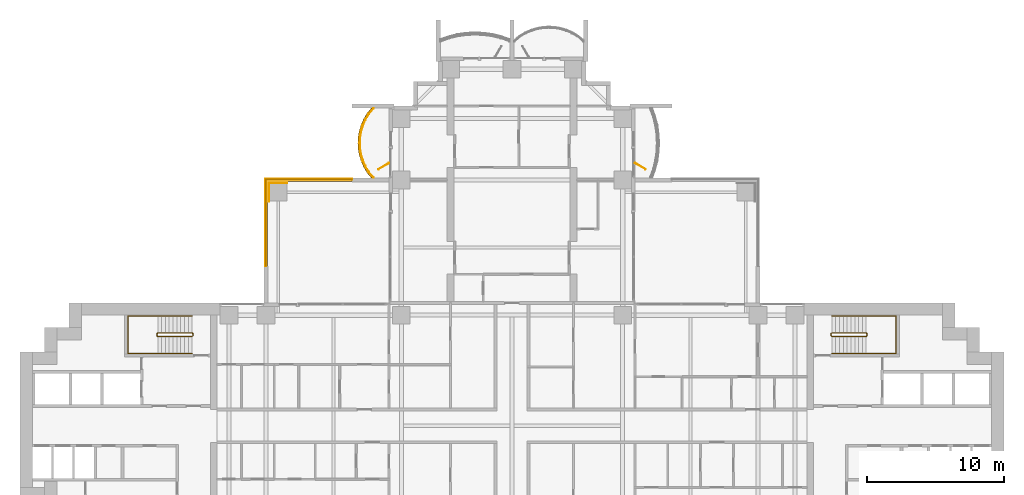
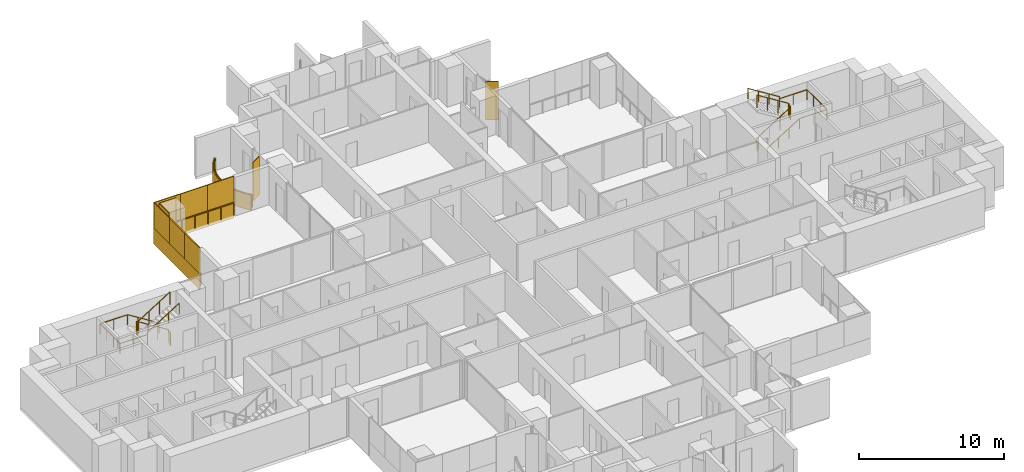
# One storey, part 19 of 20: 10 coverings, 6 railings, 2 shading devices.
"""IFC4 building model written with IfcOpenShell, lengths in metres."""

from ifc_helpers import new_model, si_unit, direction, frame, origin, origin_2d, place, context, subcontext, project, spatial, polyline, rectangle, outline, extrude, material, layer, layer_set, type_object, element, save


model = new_model("IFC4")

# Units and contexts
model_context = context("Model", 3, precision=1e-05, world=origin(), true_north=direction((0.0, 1.0)))
body_context = subcontext(model_context, "Body", "Model", "MODEL_VIEW")
ifc_project = project(units=[si_unit("LENGTHUNIT", "METRE"), si_unit("AREAUNIT", "SQUARE_METRE"), si_unit("VOLUMEUNIT", "CUBIC_METRE"), si_unit("PLANEANGLEUNIT", "RADIAN"), si_unit("MASSUNIT", "GRAM", prefix="KILO")], contexts=[model_context])

# Site, building, storey
site_placement = place(None, origin())
site = spatial("IfcSite", under=ifc_project, at=site_placement, CompositionType="ELEMENT")
building_placement = place(site_placement, origin())
building = spatial("IfcBuilding", under=site, at=building_placement, Name="Perihelion Cross Residences", CompositionType="ELEMENT")
storey_placement = place(building_placement, frame((0.0, 0.0, 68.0)))
storey = spatial("IfcBuildingStorey", under=building, at=storey_placement, Name="L14", CompositionType="ELEMENT", Elevation=68.0)

# Covering
ifc_material_1 = material(Name="Bronze anodised aluminium", Category="aluminium")
ifc_layer_1 = layer(ifc_material_1, 0.070068359375)
ifc_layer_set_1 = layer_set([ifc_layer_1], Name="Balcony fascia 1300")
covering_type_1 = type_object("IfcCoveringType", Name="Balcony fascia 1300", PredefinedType="CLADDING", material=ifc_layer_set_1)
covering_1_placement = place(storey_placement, frame((0.0, 0.0, -0.199951171875)))
element("IfcCovering", 1, at=covering_1_placement, inside=storey, type_object=covering_type_1, Name="Fascia BF1 L14 north side west bay 1", PredefinedType="CLADDING", context=body_context, shape_type="SweptSolid", body=[
    extrude(outline(polyline([(-10.59765625, 22.86474609375), (-10.85498046875, 22.431884765625), (-11.04248046875, 21.998779296875), (-11.170654296875, 21.56591796875), (-11.245361328125, 21.133056640625), (-11.27001953125, 20.699951171875), (-11.245361328125, 20.26708984375), (-11.170654296875, 19.833984375), (-11.04248046875, 19.401123046875), (-10.85498046875, 18.96826171875), (-10.59765625, 18.53515625), (-10.28955078125, 18.14990234375), (-10.199951171875, 18.14990234375), (-10.5400390625, 18.574951171875), (-10.792724609375, 19.0), (-10.9765625, 19.425048828125), (-11.1025390625, 19.85009765625), (-11.17578125, 20.27490234375), (-11.199951171875, 20.699951171875), (-11.17578125, 21.125), (-11.1025390625, 21.550048828125), (-10.9765625, 21.97509765625), (-10.792724609375, 22.39990234375), (-10.5400390625, 22.824951171875), (-10.199951171875, 23.25), (-10.28955078125, 23.25), (-10.59765625, 22.86474609375)])), origin(), (0.0, 0.0, 1.0), 1.300048828125),
])

# Railings
ifc_material_2 = material(Name="Bronze anodised aluminium", Category="aluminium")
railing_type_1 = type_object("IfcRailingType", Name="Balcony guard 1100", PredefinedType="GUARDRAIL", material=ifc_material_2)
railing_1_placement = place(storey_placement, frame((-10.139892578125, 23.22509765625, 0.0)))
element("IfcRailing", 2, at=railing_1_placement, inside=storey, type_object=railing_type_1, Name="Guard GU1 L14 north side west bay 1 balcony", PredefinedType="GUARDRAIL", context=body_context, shape_type="SweptSolid", body=[
    extrude(rectangle(XDim=0.048095703125, YDim=0.048095703125, at=origin_2d()), frame((0.0, 0.0, 1.076171875), z_axis=(-0.647607934281, -0.761973728849, 0.0), x_axis=(0.761973728849, -0.647607934281, 0.0)), (0.0, 0.0, 1.0), 0.525146484375),
    extrude(rectangle(XDim=0.048095703125, YDim=0.048095703125, at=origin_2d()), frame((-0.340087890625, -0.400146484375, 1.076171875), z_axis=(-0.511006381501, -0.859576918062, 0.0), x_axis=(0.859576918062, -0.511006381501, 0.0)), (0.0, 0.0, 1.0), 0.494384765625),
    extrude(rectangle(XDim=0.048095703125, YDim=0.048095703125, at=origin_2d()), frame((-0.5927734375, -0.8251953125, 1.076171875), z_axis=(-0.397607437634, -0.91755562531, 0.0), x_axis=(0.91755562531, -0.397607437634, 0.0)), (0.0, 0.0, 1.0), 0.462890625),
    extrude(rectangle(XDim=0.048095703125, YDim=0.048095703125, at=origin_2d()), frame((-0.77685546875, -1.25, 1.076171875), z_axis=(-0.283656975924, -0.958925815697, 0.0), x_axis=(0.958925815697, -0.283656975924, 0.0)), (0.0, 0.0, 1.0), 0.443359375),
    extrude(rectangle(XDim=0.048095703125, YDim=0.048095703125, at=origin_2d()), frame((-0.902587890625, -1.675048828125, 1.076171875), z_axis=(-0.17036177859, -0.985381583142, 0.0), x_axis=(0.985381583142, -0.17036177859, 0.0)), (0.0, 0.0, 1.0), 0.431396484375),
    extrude(rectangle(XDim=0.048095703125, YDim=0.048095703125, at=origin_2d()), frame((-0.97607421875, -2.10009765625, 1.076171875), z_axis=(-0.056200523353, -0.9984195016, 0.0), x_axis=(0.9984195016, -0.056200523353, 0.0)), (0.0, 0.0, 1.0), 0.42578125),
    extrude(rectangle(XDim=0.048095703125, YDim=0.048095703125, at=origin_2d()), frame((-1.0, -2.525146484375, 1.076171875), z_axis=(0.056200523353, -0.9984195016, 0.0), x_axis=(0.9984195016, 0.056200523353, 0.0)), (0.0, 0.0, 1.0), 0.42578125),
    extrude(rectangle(XDim=0.048095703125, YDim=0.048095703125, at=origin_2d()), frame((-0.97607421875, -2.9501953125, 1.076171875), z_axis=(0.170456843651, -0.985365142702, 0.0), x_axis=(0.985365142702, 0.170456843651, 0.0)), (0.0, 0.0, 1.0), 0.43115234375),
    extrude(rectangle(XDim=0.048095703125, YDim=0.048095703125, at=origin_2d()), frame((-0.902587890625, -3.375, 1.076171875), z_axis=(0.283656975924, -0.958925815697, 0.0), x_axis=(0.958925815697, 0.283656975924, 0.0)), (0.0, 0.0, 1.0), 0.443359375),
    extrude(rectangle(XDim=0.048095703125, YDim=0.048095703125, at=origin_2d()), frame((-0.77685546875, -3.800048828125, 1.076171875), z_axis=(0.397415137459, -0.917638931453, 0.0), x_axis=(0.917638931453, 0.397415137459, 0.0)), (0.0, 0.0, 1.0), 0.463134765625),
    extrude(rectangle(XDim=0.048095703125, YDim=0.048095703125, at=origin_2d()), frame((-0.5927734375, -4.22509765625, 1.076171875), z_axis=(0.511006381501, -0.859576918062, 0.0), x_axis=(0.859576918062, 0.511006381501, 0.0)), (0.0, 0.0, 1.0), 0.494384765625),
    extrude(rectangle(XDim=0.048095703125, YDim=0.048095703125, at=origin_2d()), frame((-0.340087890625, -4.650146484375, 1.076171875), z_axis=(0.647837396648, -0.761778647315, 0.0), x_axis=(0.761778647315, 0.647837396648, 0.0)), (0.0, 0.0, 1.0), 0.52490234375),
    extrude(rectangle(XDim=0.0419921875, YDim=0.0419921875, at=origin_2d()), origin(), (0.0, 0.0, 1.0), 1.052001953125),
    extrude(rectangle(XDim=0.0419921875, YDim=0.0419921875, at=origin_2d()), frame((-0.340087890625, -0.400146484375, 0.0)), (0.0, 0.0, 1.0), 1.052001953125),
    extrude(rectangle(XDim=0.0419921875, YDim=0.0419921875, at=origin_2d()), frame((-0.5927734375, -0.8251953125, 0.0)), (0.0, 0.0, 1.0), 1.052001953125),
    extrude(rectangle(XDim=0.0419921875, YDim=0.0419921875, at=origin_2d()), frame((-0.77685546875, -1.25, 0.0)), (0.0, 0.0, 1.0), 1.052001953125),
    extrude(rectangle(XDim=0.0419921875, YDim=0.0419921875, at=origin_2d()), frame((-0.902587890625, -1.675048828125, 0.0)), (0.0, 0.0, 1.0), 1.052001953125),
    extrude(rectangle(XDim=0.0419921875, YDim=0.0419921875, at=origin_2d()), frame((-0.97607421875, -2.10009765625, 0.0)), (0.0, 0.0, 1.0), 1.052001953125),
    extrude(rectangle(XDim=0.0419921875, YDim=0.0419921875, at=origin_2d()), frame((-1.0, -2.525146484375, 0.0)), (0.0, 0.0, 1.0), 1.052001953125),
    extrude(rectangle(XDim=0.0419921875, YDim=0.0419921875, at=origin_2d()), frame((-0.97607421875, -2.9501953125, 0.0)), (0.0, 0.0, 1.0), 1.052001953125),
    extrude(rectangle(XDim=0.0419921875, YDim=0.0419921875, at=origin_2d()), frame((-0.902587890625, -3.375, 0.0)), (0.0, 0.0, 1.0), 1.052001953125),
    extrude(rectangle(XDim=0.0419921875, YDim=0.0419921875, at=origin_2d()), frame((-0.77685546875, -3.800048828125, 0.0)), (0.0, 0.0, 1.0), 1.052001953125),
    extrude(rectangle(XDim=0.0419921875, YDim=0.0419921875, at=origin_2d()), frame((-0.5927734375, -4.22509765625, 0.0)), (0.0, 0.0, 1.0), 1.052001953125),
    extrude(rectangle(XDim=0.0419921875, YDim=0.0419921875, at=origin_2d()), frame((-0.340087890625, -4.650146484375, 0.0)), (0.0, 0.0, 1.0), 1.052001953125),
    extrude(rectangle(XDim=0.0419921875, YDim=0.0419921875, at=origin_2d()), frame((0.0, -5.050048828125, 0.0)), (0.0, 0.0, 1.0), 1.052001953125),
])
railing_2_placement = place(storey_placement, frame((-17.93994140625, 11.739990234375, 0.0)))
element("IfcRailing", 3, at=railing_2_placement, inside=storey, type_object=railing_type_1, Name="Guard GU1 L14 pocket north-west 1", PredefinedType="GUARDRAIL", context=body_context, shape_type="SweptSolid", body=[
    extrude(rectangle(XDim=0.048095703125, YDim=0.048095703125, at=origin_2d()), frame((0.0, 0.0, 1.076171875), z_axis=(0.0, 1.0, 0.0), x_axis=(-1.0, 0.0, 0.0)), (0.0, 0.0, 1.0), 6.199951171875),
    extrude(rectangle(XDim=0.048095703125, YDim=0.048095703125, at=origin_2d()), frame((0.0, 6.199951171875, 1.076171875), z_axis=(1.0, 0.0, 0.0), x_axis=(0.0, 1.0, 0.0)), (0.0, 0.0, 1.0), 6.199951171875),
    extrude(rectangle(XDim=0.0419921875, YDim=0.0419921875, at=origin_2d()), origin(), (0.0, 0.0, 1.0), 1.052001953125),
    extrude(rectangle(XDim=0.0419921875, YDim=0.0419921875, at=origin_2d()), frame((0.0, 1.033203125, 0.0)), (0.0, 0.0, 1.0), 1.052001953125),
    extrude(rectangle(XDim=0.0419921875, YDim=0.0419921875, at=origin_2d()), frame((0.0, 2.066650390625, 0.0)), (0.0, 0.0, 1.0), 1.052001953125),
    extrude(rectangle(XDim=0.0419921875, YDim=0.0419921875, at=origin_2d()), frame((0.0, 3.10009765625, 0.0)), (0.0, 0.0, 1.0), 1.052001953125),
    extrude(rectangle(XDim=0.0419921875, YDim=0.0419921875, at=origin_2d()), frame((0.0, 4.13330078125, 0.0)), (0.0, 0.0, 1.0), 1.052001953125),
    extrude(rectangle(XDim=0.0419921875, YDim=0.0419921875, at=origin_2d()), frame((0.0, 5.16650390625, 0.0)), (0.0, 0.0, 1.0), 1.052001953125),
    extrude(rectangle(XDim=0.0419921875, YDim=0.0419921875, at=origin_2d()), frame((0.0, 6.199951171875, 0.0)), (0.0, 0.0, 1.0), 1.052001953125),
    extrude(rectangle(XDim=0.0419921875, YDim=0.0419921875, at=origin_2d()), frame((1.033203125, 6.199951171875, 0.0)), (0.0, 0.0, 1.0), 1.052001953125),
    extrude(rectangle(XDim=0.0419921875, YDim=0.0419921875, at=origin_2d()), frame((2.066650390625, 6.199951171875, 0.0)), (0.0, 0.0, 1.0), 1.052001953125),
    extrude(rectangle(XDim=0.0419921875, YDim=0.0419921875, at=origin_2d()), frame((3.10009765625, 6.199951171875, 0.0)), (0.0, 0.0, 1.0), 1.052001953125),
    extrude(rectangle(XDim=0.0419921875, YDim=0.0419921875, at=origin_2d()), frame((4.13330078125, 6.199951171875, 0.0)), (0.0, 0.0, 1.0), 1.052001953125),
    extrude(rectangle(XDim=0.0419921875, YDim=0.0419921875, at=origin_2d()), frame((5.16650390625, 6.199951171875, 0.0)), (0.0, 0.0, 1.0), 1.052001953125),
    extrude(rectangle(XDim=0.0419921875, YDim=0.0419921875, at=origin_2d()), frame((6.199951171875, 6.199951171875, 0.0)), (0.0, 0.0, 1.0), 1.052001953125),
])

# Coverings
ifc_material_3 = material(Name="Bronze anodised aluminium", Category="aluminium")
ifc_layer_2 = layer(ifc_material_3, 0.0400390625)
ifc_layer_set_2 = layer_set([ifc_layer_2], Name="Bronze column casing 40")
covering_type_2 = type_object("IfcCoveringType", Name="Bronze column casing 40", PredefinedType="CLADDING", material=ifc_layer_set_2)
covering_2_placement = place(storey_placement, frame((-17.77001953125, 17.10009765625, -0.25), z_axis=(0.0, 0.0, 1.0), x_axis=(1.0, 0.0, 0.0)))
element("IfcCovering", 4, at=covering_2_placement, inside=storey, type_object=covering_type_2, Name="Cladding CC1 L14 casing east-west no. 2", PredefinedType="CLADDING", context=body_context, shape_type="SweptSolid", body=[
    extrude(rectangle(XDim=0.0400390625, YDim=1.3798828125, at=origin_2d()), origin(), (0.0, 0.0, 1.0), 3.5),
])
covering_3_placement = place(storey_placement, frame((-17.10009765625, 17.77001953125, -0.25), z_axis=(0.0, 0.0, 1.0), x_axis=(1.0, 0.0, 0.0)))
element("IfcCovering", 5, at=covering_3_placement, inside=storey, type_object=covering_type_2, Name="Cladding CC1 L14 casing north-south no. 2", PredefinedType="CLADDING", context=body_context, shape_type="SweptSolid", body=[
    extrude(rectangle(XDim=1.300048828125, YDim=0.0400390625, at=origin_2d()), origin(), (0.0, 0.0, 1.0), 3.5),
])

# Shading devices
ifc_material_4 = material(Name="Bronze anodised aluminium", Category="aluminium")
ifc_layer_3 = layer(ifc_material_4, 0.050048828125)
ifc_layer_set_3 = layer_set([ifc_layer_3], Name="Bronze fin 900")
shading_device_type = type_object("IfcShadingDeviceType", Name="Bronze fin 900", PredefinedType="USERDEFINED", material=ifc_layer_set_3)
for number, where, z_axis, x_axis, name in (
    (6, (9.3896484375, 19.0, 0.0), (0.0, 0.0, 1.0), (0.866025403784, -0.5, 0.0), "Fin FN1 L14 north side east bay 2"),
    (7, (-9.3896484375, 19.0, 0.0), (0.0, 0.0, 1.0), (-0.866025403784, -0.5, 0.0), "Fin FN1 L14 north side west bay 1"),
):
    element("IfcShadingDevice", number, at=place(storey_placement, frame(where, z_axis=z_axis, x_axis=x_axis)), inside=storey, type_object=shading_device_type, Name=name, ObjectType="FIN", PredefinedType="USERDEFINED", context=body_context, shape_type="SweptSolid", body=[
        extrude(rectangle(XDim=0.89990234375, YDim=0.050048828125, at=origin_2d()), origin(), (0.0, 0.0, 1.0), 3.25),
    ])

# Coverings
ifc_material_5 = material(Name="Bronze anodised aluminium", Category="aluminium")
ifc_layer_4 = layer(ifc_material_5, 0.070068359375)
ifc_layer_set_4 = layer_set([ifc_layer_4], Name="Pocket fascia 1350")
covering_type_3 = type_object("IfcCoveringType", Name="Pocket fascia 1350", PredefinedType="CLADDING", material=ifc_layer_set_4)
covering_4_placement = place(storey_placement, frame((0.0, 0.0, -0.25)))
element("IfcCovering", 8, at=covering_4_placement, inside=storey, type_object=covering_type_3, Name="Fascia BF2 L14 pocket north-west 3", PredefinedType="CLADDING", context=body_context, shape_type="SweptSolid", body=[
    extrude(outline(polyline([(-18.070068359375, 18.070068359375), (-18.070068359375, 11.699951171875), (-18.0, 11.699951171875), (-18.0, 18.0), (-11.699951171875, 18.0), (-11.699951171875, 18.070068359375), (-18.070068359375, 18.070068359375)])), origin(), (0.0, 0.0, 1.0), 1.35009765625),
])
ifc_material_6 = material(Name="Bronze perforated aluminium", Category="aluminium")
ifc_layer_5 = layer(ifc_material_6, 0.070068359375)
ifc_layer_set_5 = layer_set([ifc_layer_5], Name="Pocket solar screen, bronze perforated")
covering_type_4 = type_object("IfcCoveringType", Name="Pocket solar screen, bronze perforated", PredefinedType="CLADDING", material=ifc_layer_set_5)
covering_5_placement = place(storey_placement, frame((0.0, 0.0, 1.10009765625)))
element("IfcCovering", 9, at=covering_5_placement, inside=storey, type_object=covering_type_4, Name="Solar screen PS1 L14 pocket north-west no. 1", PredefinedType="CLADDING", context=body_context, shape_type="SweptSolid", body=[
    extrude(outline(polyline([(-18.0, 11.699951171875), (-18.0, 13.800048828125), (-18.070068359375, 13.800048828125), (-18.070068359375, 11.699951171875), (-18.0, 11.699951171875)])), origin(), (0.0, 0.0, 1.0), 2.14990234375),
])
covering_6_placement = place(storey_placement, frame((0.0, 0.0, 1.10009765625)))
element("IfcCovering", 10, at=covering_6_placement, inside=storey, type_object=covering_type_4, Name="Solar screen PS1 L14 pocket north-west no. 2", PredefinedType="CLADDING", context=body_context, shape_type="SweptSolid", body=[
    extrude(outline(polyline([(-18.0, 13.800048828125), (-18.0, 15.89990234375), (-18.070068359375, 15.89990234375), (-18.070068359375, 13.800048828125), (-18.0, 13.800048828125)])), origin(), (0.0, 0.0, 1.0), 2.14990234375),
])
covering_7_placement = place(storey_placement, frame((0.0, 0.0, 1.10009765625)))
element("IfcCovering", 11, at=covering_7_placement, inside=storey, type_object=covering_type_4, Name="Solar screen PS1 L14 pocket north-west no. 3", PredefinedType="CLADDING", context=body_context, shape_type="SweptSolid", body=[
    extrude(outline(polyline([(-18.0, 15.89990234375), (-18.0, 18.0), (-18.070068359375, 18.0), (-18.070068359375, 15.89990234375), (-18.0, 15.89990234375)])), origin(), (0.0, 0.0, 1.0), 2.14990234375),
])
covering_8_placement = place(storey_placement, frame((0.0, 0.0, 1.10009765625)))
element("IfcCovering", 12, at=covering_8_placement, inside=storey, type_object=covering_type_4, Name="Solar screen PS1 L14 pocket north-west no. 4", PredefinedType="CLADDING", context=body_context, shape_type="SweptSolid", body=[
    extrude(outline(polyline([(-15.94677734375, 18.0), (-15.94677734375, 18.070068359375), (-18.070068359375, 18.070068359375), (-18.070068359375, 18.0), (-15.94677734375, 18.0)])), origin(), (0.0, 0.0, 1.0), 2.14990234375),
])
covering_9_placement = place(storey_placement, frame((0.0, 0.0, 1.10009765625)))
element("IfcCovering", 13, at=covering_9_placement, inside=storey, type_object=covering_type_4, Name="Solar screen PS1 L14 pocket north-west no. 5", PredefinedType="CLADDING", context=body_context, shape_type="SweptSolid", body=[
    extrude(outline(polyline([(-13.8232421875, 18.0), (-13.8232421875, 18.070068359375), (-15.94677734375, 18.070068359375), (-15.94677734375, 18.0), (-13.8232421875, 18.0)])), origin(), (0.0, 0.0, 1.0), 2.14990234375),
])
covering_10_placement = place(storey_placement, frame((0.0, 0.0, 1.10009765625)))
element("IfcCovering", 14, at=covering_10_placement, inside=storey, type_object=covering_type_4, Name="Solar screen PS1 L14 pocket north-west no. 6", PredefinedType="CLADDING", context=body_context, shape_type="SweptSolid", body=[
    extrude(outline(polyline([(-11.699951171875, 18.0), (-11.699951171875, 18.070068359375), (-13.8232421875, 18.070068359375), (-13.8232421875, 18.0), (-11.699951171875, 18.0)])), origin(), (0.0, 0.0, 1.0), 2.14990234375),
])

# Railings
ifc_material_7 = material(Name="Stainless steel", Category="steel")
railing_type_2 = type_object("IfcRailingType", Name="Stair guard 1100", PredefinedType="GUARDRAIL", material=ifc_material_7)
railing_3_placement = place(storey_placement, frame((23.35009765625, 6.75, 0.0)))
element("IfcRailing", 15, at=railing_3_placement, inside=storey, type_object=railing_type_2, Name="L14 ST-E1 stair guard 1", PredefinedType="GUARDRAIL", context=body_context, shape_type="SweptSolid", body=[
    extrude(rectangle(XDim=0.048095703125, YDim=0.048095703125, at=origin_2d()), frame((0.0, 0.0, 1.076171875), z_axis=(0.0, -1.0, 0.0), x_axis=(1.0, 0.0, 0.0)), (0.0, 0.0, 1.0), 0.14990234375),
    extrude(rectangle(XDim=0.048095703125, YDim=0.048095703125, at=origin_2d()), frame((0.0, -0.14990234375, 1.076171875), z_axis=(0.263862480399, -0.265155923931, 0.927399011991), x_axis=(0.708833529934, 0.705375805398, 0.0)), (0.0, 0.0, 1.0), 0.188720703125),
    extrude(rectangle(XDim=0.048095703125, YDim=0.048095703125, at=origin_2d()), frame((0.0498046875, -0.199951171875, 1.2509765625), z_axis=(0.848007534815, 0.0, 0.529984170421), x_axis=(0.0, 1.0, 0.0)), (0.0, 0.0, 1.0), 2.9716796875),
    extrude(rectangle(XDim=0.048095703125, YDim=0.048095703125, at=origin_2d()), frame((2.56982421875, -0.199951171875, 2.826171875), z_axis=(0.707106781187, 0.707106781187, 0.0), x_axis=(-0.707106781187, 0.707106781187, 0.0)), (0.0, 0.0, 1.0), 0.07080078125),
    extrude(rectangle(XDim=0.048095703125, YDim=0.048095703125, at=origin_2d()), frame((2.619873046875, -0.14990234375, 2.826171875), z_axis=(0.0, 1.0, 0.0), x_axis=(-1.0, 0.0, 0.0)), (0.0, 0.0, 1.0), 0.14990234375),
    extrude(rectangle(XDim=0.048095703125, YDim=0.048095703125, at=origin_2d()), frame((2.619873046875, 0.0, 2.826171875), z_axis=(-0.265065253269, 0.265065253269, 0.927081885822), x_axis=(-0.707106781187, -0.707106781187, 0.0)), (0.0, 0.0, 1.0), 0.188720703125),
    extrude(rectangle(XDim=0.048095703125, YDim=0.048095703125, at=origin_2d()), frame((2.56982421875, 0.050048828125, 3.0009765625), z_axis=(-0.848007534815, 0.0, 0.529984170421), x_axis=(0.0, -1.0, 0.0)), (0.0, 0.0, 1.0), 2.9716796875),
    extrude(rectangle(XDim=0.0419921875, YDim=0.0419921875, at=origin_2d()), origin(), (0.0, 0.0, 1.0), 1.052001953125),
    extrude(rectangle(XDim=0.0419921875, YDim=0.0419921875, at=origin_2d()), frame((0.0, -0.14990234375, 0.0)), (0.0, 0.0, 1.0), 1.052001953125),
    extrude(rectangle(XDim=0.0419921875, YDim=0.0419921875, at=origin_2d()), frame((0.0498046875, -0.199951171875, 0.175048828125)), (0.0, 0.0, 1.0), 1.052001953125),
    extrude(rectangle(XDim=0.0419921875, YDim=0.0419921875, at=origin_2d()), frame((0.889892578125, -0.199951171875, 0.699951171875)), (0.0, 0.0, 1.0), 1.052001953125),
    extrude(rectangle(XDim=0.0419921875, YDim=0.0419921875, at=origin_2d()), frame((1.729736328125, -0.199951171875, 1.22509765625)), (0.0, 0.0, 1.0), 1.052001953125),
    extrude(rectangle(XDim=0.0419921875, YDim=0.0419921875, at=origin_2d()), frame((2.56982421875, -0.199951171875, 1.75)), (0.0, 0.0, 1.0), 1.052001953125),
    extrude(rectangle(XDim=0.0419921875, YDim=0.0419921875, at=origin_2d()), frame((2.619873046875, -0.14990234375, 1.75)), (0.0, 0.0, 1.0), 1.052001953125),
    extrude(rectangle(XDim=0.0419921875, YDim=0.0419921875, at=origin_2d()), frame((2.619873046875, 0.0, 1.75)), (0.0, 0.0, 1.0), 1.052001953125),
    extrude(rectangle(XDim=0.0419921875, YDim=0.0419921875, at=origin_2d()), frame((2.56982421875, 0.050048828125, 1.925048828125)), (0.0, 0.0, 1.0), 1.052001953125),
    extrude(rectangle(XDim=0.0419921875, YDim=0.0419921875, at=origin_2d()), frame((1.729736328125, 0.050048828125, 2.449951171875)), (0.0, 0.0, 1.0), 1.052001953125),
    extrude(rectangle(XDim=0.0419921875, YDim=0.0419921875, at=origin_2d()), frame((0.889892578125, 0.050048828125, 2.97509765625)), (0.0, 0.0, 1.0), 1.052001953125),
    extrude(rectangle(XDim=0.0419921875, YDim=0.0419921875, at=origin_2d()), frame((0.0498046875, 0.050048828125, 3.5)), (0.0, 0.0, 1.0), 1.052001953125),
])
railing_4_placement = place(storey_placement, frame((-23.35009765625, 6.60009765625, 0.0)))
element("IfcRailing", 16, at=railing_4_placement, inside=storey, type_object=railing_type_2, Name="L14 ST-W1 stair guard 1", PredefinedType="GUARDRAIL", context=body_context, shape_type="SweptSolid", body=[
    extrude(rectangle(XDim=0.048095703125, YDim=0.048095703125, at=origin_2d()), frame((0.0, 0.0, 1.076171875), z_axis=(0.0, 1.0, 0.0), x_axis=(-1.0, 0.0, 0.0)), (0.0, 0.0, 1.0), 0.14990234375),
    extrude(rectangle(XDim=0.048095703125, YDim=0.048095703125, at=origin_2d()), frame((0.0, 0.14990234375, 1.076171875), z_axis=(-0.263862480399, 0.265155923931, 0.927399011991), x_axis=(-0.708833529934, -0.705375805398, 0.0)), (0.0, 0.0, 1.0), 0.188720703125),
    extrude(rectangle(XDim=0.048095703125, YDim=0.048095703125, at=origin_2d()), frame((-0.0498046875, 0.199951171875, 1.2509765625), z_axis=(-0.848007534815, 0.0, 0.529984170421), x_axis=(0.0, -1.0, 0.0)), (0.0, 0.0, 1.0), 2.9716796875),
    extrude(rectangle(XDim=0.048095703125, YDim=0.048095703125, at=origin_2d()), frame((-2.56982421875, 0.199951171875, 2.826171875), z_axis=(-0.707106781187, -0.707106781187, 0.0), x_axis=(0.707106781187, -0.707106781187, 0.0)), (0.0, 0.0, 1.0), 0.07080078125),
    extrude(rectangle(XDim=0.048095703125, YDim=0.048095703125, at=origin_2d()), frame((-2.619873046875, 0.14990234375, 2.826171875), z_axis=(0.0, -1.0, 0.0), x_axis=(1.0, 0.0, 0.0)), (0.0, 0.0, 1.0), 0.14990234375),
    extrude(rectangle(XDim=0.048095703125, YDim=0.048095703125, at=origin_2d()), frame((-2.619873046875, 0.0, 2.826171875), z_axis=(0.265065253269, -0.265065253269, 0.927081885822), x_axis=(0.707106781187, 0.707106781187, 0.0)), (0.0, 0.0, 1.0), 0.188720703125),
    extrude(rectangle(XDim=0.048095703125, YDim=0.048095703125, at=origin_2d()), frame((-2.56982421875, -0.050048828125, 3.0009765625), z_axis=(0.848007534815, 0.0, 0.529984170421), x_axis=(0.0, 1.0, 0.0)), (0.0, 0.0, 1.0), 2.9716796875),
    extrude(rectangle(XDim=0.0419921875, YDim=0.0419921875, at=origin_2d()), origin(), (0.0, 0.0, 1.0), 1.052001953125),
    extrude(rectangle(XDim=0.0419921875, YDim=0.0419921875, at=origin_2d()), frame((0.0, 0.14990234375, 0.0)), (0.0, 0.0, 1.0), 1.052001953125),
    extrude(rectangle(XDim=0.0419921875, YDim=0.0419921875, at=origin_2d()), frame((-0.0498046875, 0.199951171875, 0.175048828125)), (0.0, 0.0, 1.0), 1.052001953125),
    extrude(rectangle(XDim=0.0419921875, YDim=0.0419921875, at=origin_2d()), frame((-0.889892578125, 0.199951171875, 0.699951171875)), (0.0, 0.0, 1.0), 1.052001953125),
    extrude(rectangle(XDim=0.0419921875, YDim=0.0419921875, at=origin_2d()), frame((-1.729736328125, 0.199951171875, 1.22509765625)), (0.0, 0.0, 1.0), 1.052001953125),
    extrude(rectangle(XDim=0.0419921875, YDim=0.0419921875, at=origin_2d()), frame((-2.56982421875, 0.199951171875, 1.75)), (0.0, 0.0, 1.0), 1.052001953125),
    extrude(rectangle(XDim=0.0419921875, YDim=0.0419921875, at=origin_2d()), frame((-2.619873046875, 0.14990234375, 1.75)), (0.0, 0.0, 1.0), 1.052001953125),
    extrude(rectangle(XDim=0.0419921875, YDim=0.0419921875, at=origin_2d()), frame((-2.619873046875, 0.0, 1.75)), (0.0, 0.0, 1.0), 1.052001953125),
    extrude(rectangle(XDim=0.0419921875, YDim=0.0419921875, at=origin_2d()), frame((-2.56982421875, -0.050048828125, 1.925048828125)), (0.0, 0.0, 1.0), 1.052001953125),
    extrude(rectangle(XDim=0.0419921875, YDim=0.0419921875, at=origin_2d()), frame((-1.729736328125, -0.050048828125, 2.449951171875)), (0.0, 0.0, 1.0), 1.052001953125),
    extrude(rectangle(XDim=0.0419921875, YDim=0.0419921875, at=origin_2d()), frame((-0.889892578125, -0.050048828125, 2.97509765625)), (0.0, 0.0, 1.0), 1.052001953125),
    extrude(rectangle(XDim=0.0419921875, YDim=0.0419921875, at=origin_2d()), frame((-0.0498046875, -0.050048828125, 3.5)), (0.0, 0.0, 1.0), 1.052001953125),
])
ifc_material_8 = material(Name="Stainless steel", Category="steel")
railing_type_3 = type_object("IfcRailingType", Name="Stair handrail 900", PredefinedType="HANDRAIL", material=ifc_material_8)
railing_5_placement = place(storey_placement, frame((23.39990234375, 5.300048828125, 0.175048828125)))
element("IfcRailing", 17, at=railing_5_placement, inside=storey, type_object=railing_type_3, Name="L14 ST-E1 stair handrail 1", PredefinedType="HANDRAIL", context=body_context, shape_type="SweptSolid", body=[
    extrude(rectangle(XDim=0.048095703125, YDim=0.048095703125, at=origin_2d()), frame((0.0, 0.0, 0.8759765625), z_axis=(0.848007534815, 0.0, 0.529984170421), x_axis=(0.0, 1.0, 0.0)), (0.0, 0.0, 1.0), 2.9716796875),
    extrude(rectangle(XDim=0.048095703125, YDim=0.048095703125, at=origin_2d()), frame((2.52001953125, 0.0, 2.45068359375), z_axis=(1.0, 0.0, 0.0), x_axis=(0.0, 1.0, 0.0)), (0.0, 0.0, 1.0), 2.18017578125),
    extrude(rectangle(XDim=0.048095703125, YDim=0.048095703125, at=origin_2d()), frame((4.7001953125, 0.0, 2.45068359375), z_axis=(0.0, 1.0, 0.0), x_axis=(-1.0, 0.0, 0.0)), (0.0, 0.0, 1.0), 2.75),
    extrude(rectangle(XDim=0.048095703125, YDim=0.048095703125, at=origin_2d()), frame((4.7001953125, 2.75, 2.45068359375), z_axis=(-1.0, 0.0, 0.0), x_axis=(0.0, -1.0, 0.0)), (0.0, 0.0, 1.0), 2.18017578125),
    extrude(rectangle(XDim=0.048095703125, YDim=0.048095703125, at=origin_2d()), frame((2.52001953125, 2.75, 2.45068359375), z_axis=(0.0, 0.0, 1.0), x_axis=(1.0, 0.0, 0.0)), (0.0, 0.0, 1.0), 0.175048828125),
    extrude(rectangle(XDim=0.048095703125, YDim=0.048095703125, at=origin_2d()), frame((2.52001953125, 2.75, 2.6259765625), z_axis=(-0.848007534815, 0.0, 0.529984170421), x_axis=(0.0, -1.0, 0.0)), (0.0, 0.0, 1.0), 2.9716796875),
    extrude(rectangle(XDim=0.0419921875, YDim=0.0419921875, at=origin_2d()), origin(), (0.0, 0.0, 1.0), 0.851806640625),
    extrude(rectangle(XDim=0.0419921875, YDim=0.0419921875, at=origin_2d()), frame((0.840087890625, 0.0, 0.52490234375)), (0.0, 0.0, 1.0), 0.851806640625),
    extrude(rectangle(XDim=0.0419921875, YDim=0.0419921875, at=origin_2d()), frame((1.679931640625, 0.0, 1.050048828125)), (0.0, 0.0, 1.0), 0.851806640625),
    extrude(rectangle(XDim=0.0419921875, YDim=0.0419921875, at=origin_2d()), frame((2.52001953125, 0.0, 1.574951171875)), (0.0, 0.0, 1.0), 0.851806640625),
    extrude(rectangle(XDim=0.0419921875, YDim=0.0419921875, at=origin_2d()), frame((3.610107421875, 0.0, 1.574951171875)), (0.0, 0.0, 1.0), 0.851806640625),
    extrude(rectangle(XDim=0.0419921875, YDim=0.0419921875, at=origin_2d()), frame((4.7001953125, 0.0, 1.574951171875)), (0.0, 0.0, 1.0), 0.851806640625),
    extrude(rectangle(XDim=0.0419921875, YDim=0.0419921875, at=origin_2d()), frame((4.7001953125, 0.916748046875, 1.574951171875)), (0.0, 0.0, 1.0), 0.851806640625),
    extrude(rectangle(XDim=0.0419921875, YDim=0.0419921875, at=origin_2d()), frame((4.7001953125, 1.833251953125, 1.574951171875)), (0.0, 0.0, 1.0), 0.851806640625),
    extrude(rectangle(XDim=0.0419921875, YDim=0.0419921875, at=origin_2d()), frame((4.7001953125, 2.75, 1.574951171875)), (0.0, 0.0, 1.0), 0.851806640625),
    extrude(rectangle(XDim=0.0419921875, YDim=0.0419921875, at=origin_2d()), frame((3.610107421875, 2.75, 1.574951171875)), (0.0, 0.0, 1.0), 0.851806640625),
    extrude(rectangle(XDim=0.0419921875, YDim=0.0419921875, at=origin_2d()), frame((2.52001953125, 2.75, 1.574951171875)), (0.0, 0.0, 1.0), 0.851806640625),
    extrude(rectangle(XDim=0.0419921875, YDim=0.0419921875, at=origin_2d()), frame((2.52001953125, 2.75, 1.75)), (0.0, 0.0, 1.0), 0.851806640625),
    extrude(rectangle(XDim=0.0419921875, YDim=0.0419921875, at=origin_2d()), frame((1.679931640625, 2.75, 2.27490234375)), (0.0, 0.0, 1.0), 0.851806640625),
    extrude(rectangle(XDim=0.0419921875, YDim=0.0419921875, at=origin_2d()), frame((0.840087890625, 2.75, 2.800048828125)), (0.0, 0.0, 1.0), 0.851806640625),
    extrude(rectangle(XDim=0.0419921875, YDim=0.0419921875, at=origin_2d()), frame((0.0, 2.75, 3.324951171875)), (0.0, 0.0, 1.0), 0.851806640625),
])
railing_6_placement = place(storey_placement, frame((-23.39990234375, 8.050048828125, 0.175048828125)))
element("IfcRailing", 18, at=railing_6_placement, inside=storey, type_object=railing_type_3, Name="L14 ST-W1 stair handrail 1", PredefinedType="HANDRAIL", context=body_context, shape_type="SweptSolid", body=[
    extrude(rectangle(XDim=0.048095703125, YDim=0.048095703125, at=origin_2d()), frame((0.0, 0.0, 0.8759765625), z_axis=(-0.848007534815, 0.0, 0.529984170421), x_axis=(0.0, -1.0, 0.0)), (0.0, 0.0, 1.0), 2.9716796875),
    extrude(rectangle(XDim=0.048095703125, YDim=0.048095703125, at=origin_2d()), frame((-2.52001953125, 0.0, 2.45068359375), z_axis=(-1.0, 0.0, 0.0), x_axis=(0.0, -1.0, 0.0)), (0.0, 0.0, 1.0), 2.18017578125),
    extrude(rectangle(XDim=0.048095703125, YDim=0.048095703125, at=origin_2d()), frame((-4.7001953125, 0.0, 2.45068359375), z_axis=(0.0, -1.0, 0.0), x_axis=(1.0, 0.0, 0.0)), (0.0, 0.0, 1.0), 2.75),
    extrude(rectangle(XDim=0.048095703125, YDim=0.048095703125, at=origin_2d()), frame((-4.7001953125, -2.75, 2.45068359375), z_axis=(1.0, 0.0, 0.0), x_axis=(0.0, 1.0, 0.0)), (0.0, 0.0, 1.0), 2.18017578125),
    extrude(rectangle(XDim=0.048095703125, YDim=0.048095703125, at=origin_2d()), frame((-2.52001953125, -2.75, 2.45068359375), z_axis=(0.0, 0.0, 1.0), x_axis=(1.0, 0.0, 0.0)), (0.0, 0.0, 1.0), 0.175048828125),
    extrude(rectangle(XDim=0.048095703125, YDim=0.048095703125, at=origin_2d()), frame((-2.52001953125, -2.75, 2.6259765625), z_axis=(0.848007534815, 0.0, 0.529984170421), x_axis=(0.0, 1.0, 0.0)), (0.0, 0.0, 1.0), 2.9716796875),
    extrude(rectangle(XDim=0.0419921875, YDim=0.0419921875, at=origin_2d()), origin(), (0.0, 0.0, 1.0), 0.851806640625),
    extrude(rectangle(XDim=0.0419921875, YDim=0.0419921875, at=origin_2d()), frame((-0.840087890625, 0.0, 0.52490234375)), (0.0, 0.0, 1.0), 0.851806640625),
    extrude(rectangle(XDim=0.0419921875, YDim=0.0419921875, at=origin_2d()), frame((-1.679931640625, 0.0, 1.050048828125)), (0.0, 0.0, 1.0), 0.851806640625),
    extrude(rectangle(XDim=0.0419921875, YDim=0.0419921875, at=origin_2d()), frame((-2.52001953125, 0.0, 1.574951171875)), (0.0, 0.0, 1.0), 0.851806640625),
    extrude(rectangle(XDim=0.0419921875, YDim=0.0419921875, at=origin_2d()), frame((-3.610107421875, 0.0, 1.574951171875)), (0.0, 0.0, 1.0), 0.851806640625),
    extrude(rectangle(XDim=0.0419921875, YDim=0.0419921875, at=origin_2d()), frame((-4.7001953125, 0.0, 1.574951171875)), (0.0, 0.0, 1.0), 0.851806640625),
    extrude(rectangle(XDim=0.0419921875, YDim=0.0419921875, at=origin_2d()), frame((-4.7001953125, -0.916748046875, 1.574951171875)), (0.0, 0.0, 1.0), 0.851806640625),
    extrude(rectangle(XDim=0.0419921875, YDim=0.0419921875, at=origin_2d()), frame((-4.7001953125, -1.833251953125, 1.574951171875)), (0.0, 0.0, 1.0), 0.851806640625),
    extrude(rectangle(XDim=0.0419921875, YDim=0.0419921875, at=origin_2d()), frame((-4.7001953125, -2.75, 1.574951171875)), (0.0, 0.0, 1.0), 0.851806640625),
    extrude(rectangle(XDim=0.0419921875, YDim=0.0419921875, at=origin_2d()), frame((-3.610107421875, -2.75, 1.574951171875)), (0.0, 0.0, 1.0), 0.851806640625),
    extrude(rectangle(XDim=0.0419921875, YDim=0.0419921875, at=origin_2d()), frame((-2.52001953125, -2.75, 1.574951171875)), (0.0, 0.0, 1.0), 0.851806640625),
    extrude(rectangle(XDim=0.0419921875, YDim=0.0419921875, at=origin_2d()), frame((-2.52001953125, -2.75, 1.75)), (0.0, 0.0, 1.0), 0.851806640625),
    extrude(rectangle(XDim=0.0419921875, YDim=0.0419921875, at=origin_2d()), frame((-1.679931640625, -2.75, 2.27490234375)), (0.0, 0.0, 1.0), 0.851806640625),
    extrude(rectangle(XDim=0.0419921875, YDim=0.0419921875, at=origin_2d()), frame((-0.840087890625, -2.75, 2.800048828125)), (0.0, 0.0, 1.0), 0.851806640625),
    extrude(rectangle(XDim=0.0419921875, YDim=0.0419921875, at=origin_2d()), frame((0.0, -2.75, 3.324951171875)), (0.0, 0.0, 1.0), 0.851806640625),
])

save(model, "model.ifc")
